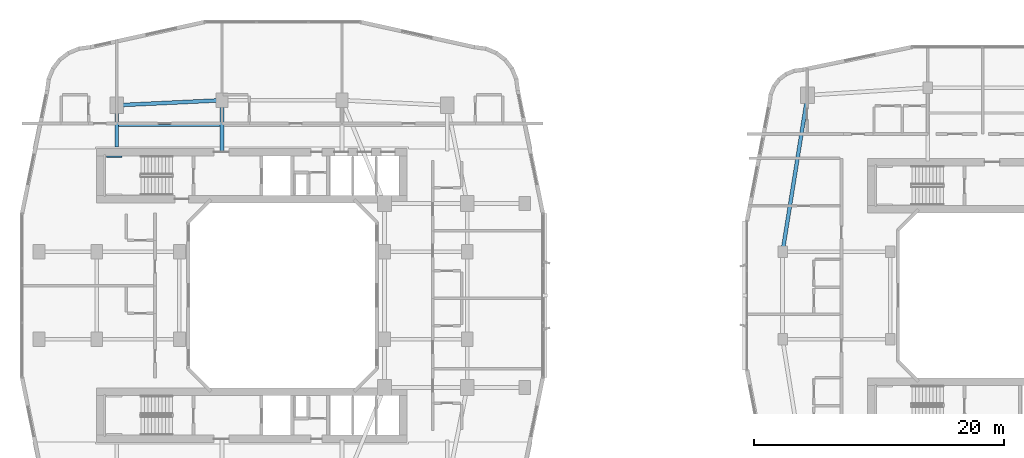
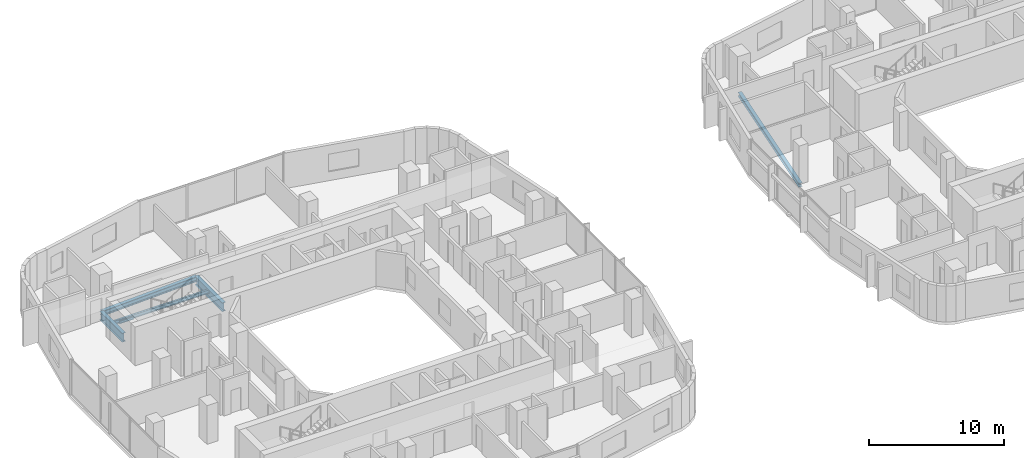
# One storey, part 6 of 27: 6 beams.
"""IFC4 building model written with IfcOpenShell, lengths in metres."""

from ifc_helpers import new_model, si_unit, derived_unit, direction, frame, origin, origin_2d, place, context, subcontext, project, spatial, i_section, extrude, material, material_profile, profile_set, type_object, element, save


model = new_model("IFC4")

# Units and contexts
model_context = context("Model", 3, precision=1e-05, world=origin(), true_north=direction((0.0, 1.0)))
body_context = subcontext(model_context, "Body", "Model", "MODEL_VIEW")
ifc_project = project(units=[si_unit("LENGTHUNIT", "METRE"), si_unit("AREAUNIT", "SQUARE_METRE"), si_unit("VOLUMEUNIT", "CUBIC_METRE"), si_unit("PLANEANGLEUNIT", "RADIAN"), si_unit("MASSUNIT", "GRAM", prefix="KILO"), derived_unit("THERMALTRANSMITTANCEUNIT", [(si_unit("POWERUNIT", "WATT"), 1), (si_unit("LENGTHUNIT", "METRE"), -2), (si_unit("THERMODYNAMICTEMPERATUREUNIT", "KELVIN"), -1)])], contexts=[model_context])

# Site, building, storey
site_placement = place(None, origin())
site = spatial("IfcSite", under=ifc_project, at=site_placement, CompositionType="ELEMENT")
building_placement = place(site_placement, origin())
building = spatial("IfcBuilding", under=site, at=building_placement, Name="Kivonza Crest Hotel", CompositionType="ELEMENT")
storey_placement = place(building_placement, frame((0.0, 0.0, 41.5)))
storey = spatial("IfcBuildingStorey", under=building, at=storey_placement, Name="L10", CompositionType="ELEMENT", Elevation=41.5)

# Beams
ifc_material = material(Name="Steel S355", Category="steel")
ifc_material_profile_1 = material_profile(ifc_material, i_section(OverallWidth=0.300048828125, OverallDepth=0.360107421875, WebThickness=0.012451171875, FlangeThickness=0.0224609375, FilletRadius=0.027099609375, at=origin_2d()), Name="HEB 360")
ifc_profile_set_1 = profile_set([ifc_material_profile_1], Name="Steel S355")
beam_type_1 = type_object("IfcBeamType", Name="BM-HEB360", PredefinedType="SPANDREL", material=ifc_profile_set_1)
beam_1_placement = place(storey_placement, frame((63.0, 41.0, -0.429931640625), z_axis=(-0.157990501107, -0.987440631917, 0.0), x_axis=(0.987440631917, -0.157990501107, 0.0)))
element("IfcBeam", 1, at=beam_1_placement, inside=storey, type_object=beam_type_1, Name="Companion Tower T2 L10 perimeter spandrel NW-W2", PredefinedType="SPANDREL", context=body_context, shape_type="SweptSolid", body=[
    extrude(i_section(OverallWidth=0.300048828125, OverallDepth=0.360107421875, WebThickness=0.012451171875, FlangeThickness=0.0224609375, FilletRadius=0.027099609375, at=origin_2d()), origin(), (0.0, 0.0, 1.0), 12.658935546875),
])
ifc_material_profile_2 = material_profile(ifc_material, i_section(OverallWidth=0.300048828125, OverallDepth=0.449951171875, WebThickness=0.013916015625, FlangeThickness=0.02587890625, FilletRadius=0.027099609375, at=origin_2d()), Name="HEB 450")
ifc_profile_set_2 = profile_set([ifc_material_profile_2], Name="Steel S355")
beam_type_2 = type_object("IfcBeamType", Name="BM-HEB450", PredefinedType="SPANDREL", material=ifc_profile_set_2)
beam_2_placement = place(storey_placement, frame((16.199951171875, 40.60009765625, -0.5048828125), z_axis=(-0.998867283688, -0.047583080799, 0.0), x_axis=(0.047583080799, -0.998867283688, 0.0)))
element("IfcBeam", 2, at=beam_2_placement, inside=storey, type_object=beam_type_2, Name="Tower T1 L10 perimeter spandrel N1-NW", PredefinedType="SPANDREL", context=body_context, shape_type="SweptSolid", body=[
    extrude(i_section(OverallWidth=0.300048828125, OverallDepth=0.449951171875, WebThickness=0.013916015625, FlangeThickness=0.02587890625, FilletRadius=0.027099609375, at=origin_2d()), origin(), (0.0, 0.0, 1.0), 8.409423828125),
])
ifc_material_profile_3 = material_profile(ifc_material, i_section(OverallWidth=0.300048828125, OverallDepth=0.800048828125, WebThickness=0.017578125, FlangeThickness=0.032958984375, FilletRadius=0.030029296875, at=origin_2d()), Name="HEB 800")
ifc_profile_set_3 = profile_set([ifc_material_profile_3], Name="Steel S355")
beam_type_3 = type_object("IfcBeamType", Name="BM-HEB800", PredefinedType="BEAM", material=ifc_profile_set_3)
beam_3_placement = place(storey_placement, frame((7.800048828125, 40.199951171875, -0.679931640625), z_axis=(0.0, -1.0, 0.0), x_axis=(1.0, 0.0, 0.0)))
element("IfcBeam", 3, at=beam_3_placement, inside=storey, type_object=beam_type_3, Name="Tower T1 L10 radial core girder RNW", PredefinedType="BEAM", context=body_context, shape_type="SweptSolid", body=[
    extrude(i_section(OverallWidth=0.300048828125, OverallDepth=0.800048828125, WebThickness=0.017578125, FlangeThickness=0.032958984375, FilletRadius=0.030029296875, at=origin_2d()), origin(), (0.0, 0.0, 1.0), 3.349853515625),
])
beam_4_placement = place(storey_placement, frame((16.199951171875, 40.60009765625, -0.679931640625), z_axis=(0.0, -1.0, 0.0), x_axis=(1.0, 0.0, 0.0)))
element("IfcBeam", 4, at=beam_4_placement, inside=storey, type_object=beam_type_3, Name="Tower T1 L10 radial core girder RN1", PredefinedType="BEAM", context=body_context, shape_type="SweptSolid", body=[
    extrude(i_section(OverallWidth=0.300048828125, OverallDepth=0.800048828125, WebThickness=0.017578125, FlangeThickness=0.032958984375, FilletRadius=0.030029296875, at=origin_2d()), origin(), (0.0, 0.0, 1.0), 4.050048828125),
])
ifc_material_profile_4 = material_profile(ifc_material, i_section(OverallWidth=0.159912109375, OverallDepth=0.330078125, WebThickness=0.007568359375, FlangeThickness=0.011474609375, FilletRadius=0.01806640625, at=origin_2d()), Name="IPE 330")
ifc_profile_set_4 = profile_set([ifc_material_profile_4], Name="Steel S355")
beam_type_4 = type_object("IfcBeamType", Name="BM-IPE330", PredefinedType="JOIST", material=ifc_profile_set_4)
beam_5_placement = place(storey_placement, frame((7.8798828125, 38.60009765625, -0.445068359375), z_axis=(1.0, 0.0, 0.0), x_axis=(0.0, 1.0, 0.0)))
element("IfcBeam", 5, at=beam_5_placement, inside=storey, type_object=beam_type_4, Name="Tower T1 L10 North-West floor joist", PredefinedType="JOIST", context=body_context, shape_type="SweptSolid", body=[
    extrude(i_section(OverallWidth=0.159912109375, OverallDepth=0.330078125, WebThickness=0.007568359375, FlangeThickness=0.011474609375, FilletRadius=0.01806640625, at=origin_2d()), origin(), (0.0, 0.0, 1.0), 8.240234375),
])
ifc_material_profile_5 = material_profile(ifc_material, i_section(OverallWidth=0.1201171875, OverallDepth=0.239990234375, WebThickness=0.006103515625, FlangeThickness=0.009765625, FilletRadius=0.014892578125, at=origin_2d()), Name="IPE 240")
ifc_profile_set_5 = profile_set([ifc_material_profile_5], Name="Steel S355")
beam_type_5 = type_object("IfcBeamType", Name="BM-LLDG-240", PredefinedType="BEAM", material=ifc_profile_set_5)
beam_6_placement = place(storey_placement, frame((6.989990234375, 36.10009765625, 1.429931640625), z_axis=(1.0, 0.0, 0.0), x_axis=(0.0, 1.0, 0.0)))
element("IfcBeam", 6, at=beam_6_placement, inside=storey, type_object=beam_type_5, Name="Stair ST-T1-N L10 North landing corbel", PredefinedType="BEAM", context=body_context, shape_type="SweptSolid", body=[
    extrude(i_section(OverallWidth=0.1201171875, OverallDepth=0.239990234375, WebThickness=0.006103515625, FlangeThickness=0.009765625, FilletRadius=0.014892578125, at=origin_2d()), origin(), (0.0, 0.0, 1.0), 1.2099609375),
])

save(model, "model.ifc")
